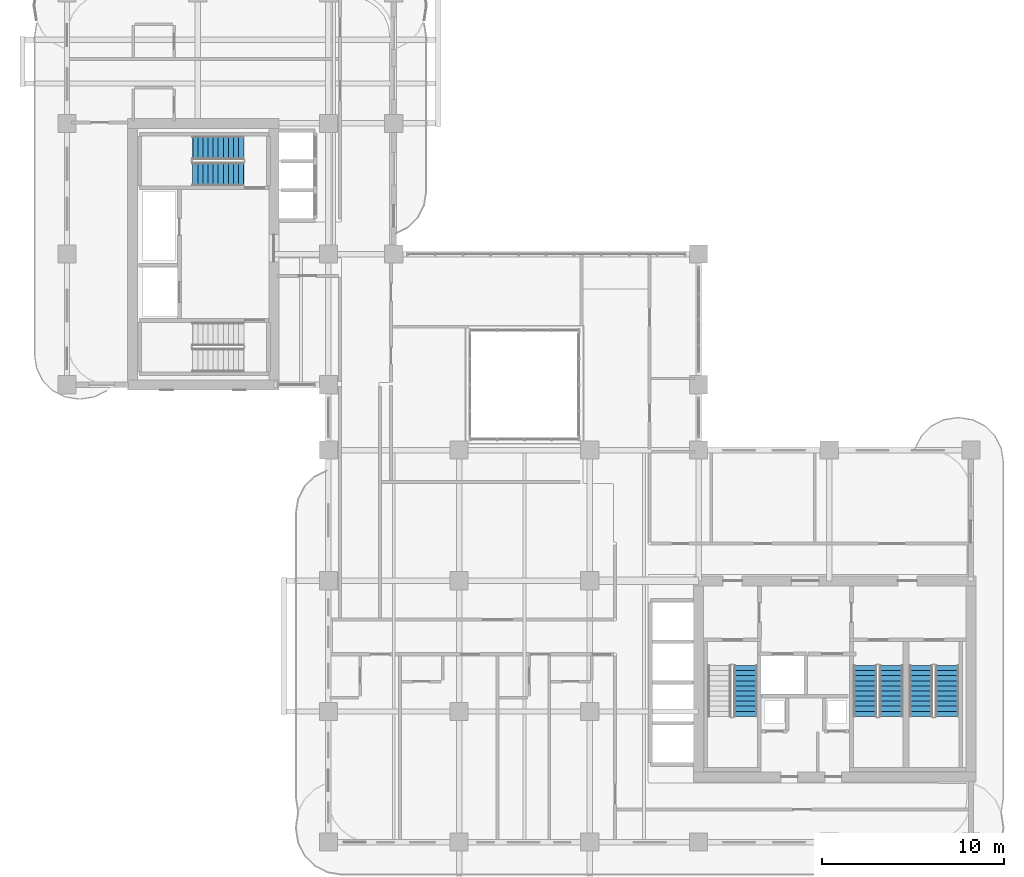
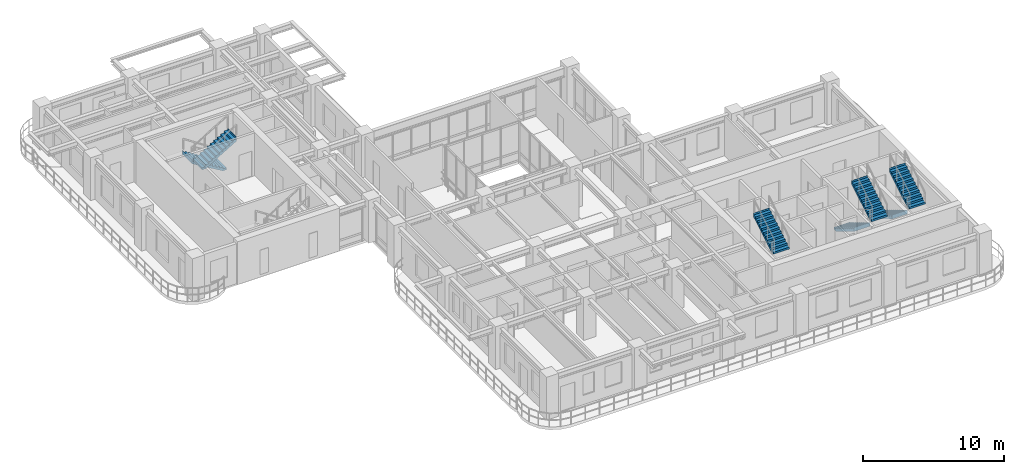
# One storey, part 16 of 20: 7 stair flights, 4 elements without a shape of their own.
"""IFC4 building model written with IfcOpenShell, lengths in metres."""

import ifcopenshell
import ifcopenshell.guid

model = None  # the IFC model being written
_history = None  # IfcOwnerHistory: only IFC2X3 demands one
_inside = {}  # id of a spatial element -> (the spatial element, [elements in it])
_under = {}  # id of a project, library or spatial element -> (it, [spatial elements below it])
_declared = {}  # id of a project -> (the project, [libraries it declares])
_typed = {}  # id of a type object -> (the type object, [elements of that type])
_made_of = {}  # id of a material, layer set ... -> (it, [elements and type objects made of it])


def new_model(schema):
    """Start an empty IFC model of exactly this schema.

    Asked for "IFC4X3", IfcOpenShell would pick the latest addendum, in which some entities
    have other attributes; the version numbers below select the first issue.
    IFC2X3 requires an IfcOwnerHistory on every rooted entity: one is made here for all.
    """
    global model, _history
    if schema == "IFC4X3":
        model = ifcopenshell.file(schema_version=(4, 3, 0, 0))
    else:
        model = ifcopenshell.file(schema=schema)
    _inside.clear()
    _under.clear()
    _declared.clear()
    _typed.clear()
    _made_of.clear()
    _history = None
    if model.schema == "IFC2X3":
        org = make("IfcOrganization", Name="unknown")
        user = make(
            "IfcPersonAndOrganization",
            ThePerson=make("IfcPerson", FamilyName="unknown"),
            TheOrganization=org,
        )
        app = make(
            "IfcApplication",
            ApplicationDeveloper=org,
            Version="unknown",
            ApplicationFullName="unknown",
            ApplicationIdentifier="unknown",
        )
        _history = make(
            "IfcOwnerHistory",
            OwningUser=user,
            OwningApplication=app,
            ChangeAction="ADDED",
            CreationDate=0,
        )
    return model


def make(cls, **values):
    """One entity of the class cls with the attributes given. An attribute that is None is left unset."""
    return model.create_entity(
        cls, **{name: value for name, value in values.items() if value is not None}
    )


def rooted(cls, **values):
    """An entity with a GlobalId (a new one), such as an element, a storey or a relation."""
    return make(cls, GlobalId=ifcopenshell.guid.new(), OwnerHistory=_history, **values)


def si_unit(unit_type, name, prefix=None):
    """IfcSIUnit, for example si_unit("LENGTHUNIT", "METRE", prefix="MILLI")."""
    return make("IfcSIUnit", UnitType=unit_type, Prefix=prefix, Name=name)


def derived_unit(unit_type, elements):
    """IfcDerivedUnit: a product of units, each with its exponent."""
    return make(
        "IfcDerivedUnit",
        Elements=[
            make("IfcDerivedUnitElement", Unit=unit, Exponent=power)
            for unit, power in elements
        ],
        UnitType=unit_type,
    )


def assignment(units):
    """IfcUnitAssignment: the units of a project."""
    return None if units is None else make("IfcUnitAssignment", Units=units)


def point(xyz):
    """IfcCartesianPoint."""
    return None if xyz is None else make("IfcCartesianPoint", Coordinates=xyz)


def direction(xyz):
    """IfcDirection."""
    return None if xyz is None else make("IfcDirection", DirectionRatios=xyz)


def frame(location, z_axis=None, x_axis=None):
    """IfcAxis2Placement3D, a coordinate frame: its origin and axes. An axis left out is left unset."""
    return make(
        "IfcAxis2Placement3D",
        Location=point(location),
        Axis=direction(z_axis),
        RefDirection=direction(x_axis),
    )


def origin():
    """The frame at (0, 0, 0) with its axes left unset."""
    return frame((0.0, 0.0, 0.0))


def place(relative_to, where):
    """IfcLocalPlacement: puts the frame where relative to a parent placement (None: the world)."""
    return make(
        "IfcLocalPlacement", PlacementRelTo=relative_to, RelativePlacement=where
    )


def context(
    kind, dimensions, precision=None, world=None, true_north=None, identifier=None
):
    """IfcGeometricRepresentationContext, for example the 3D "Model" context."""
    return make(
        "IfcGeometricRepresentationContext",
        ContextIdentifier=identifier,
        ContextType=kind,
        CoordinateSpaceDimension=dimensions,
        Precision=precision,
        WorldCoordinateSystem=world,
        TrueNorth=true_north,
    )


def subcontext(parent, identifier, kind, view, scale=None):
    """IfcGeometricRepresentationSubContext, for example "Body" below "Model"."""
    return make(
        "IfcGeometricRepresentationSubContext",
        ContextIdentifier=identifier,
        ContextType=kind,
        ParentContext=parent,
        TargetScale=scale,
        TargetView=view,
    )


def project(units=None, contexts=None):
    """IfcProject with its units and contexts."""
    return rooted(
        "IfcProject",
        Name="project",
        RepresentationContexts=contexts,
        UnitsInContext=assignment(units),
    )


def spatial(cls, under=None, at=None, **own):
    """A site, building, storey or space (cls), placed at a placement, below another one or the project."""
    s = rooted(cls, ObjectPlacement=at, **own)
    if under is not None:
        _under.setdefault(under.id(), (under, []))[1].append(s)
    return s


def polyline(points):
    """IfcPolyline through the points."""
    return make("IfcPolyline", Points=[point(p) for p in points])


def outline(outer, holes=None, kind="AREA"):
    """IfcArbitraryClosedProfileDef: a profile drawn as a closed curve; with holes, ...WithVoids."""
    if holes is None:
        return make("IfcArbitraryClosedProfileDef", ProfileType=kind, OuterCurve=outer)
    return make(
        "IfcArbitraryProfileDefWithVoids",
        ProfileType=kind,
        OuterCurve=outer,
        InnerCurves=holes,
    )


def extrude(swept, where, along, depth):
    """IfcExtrudedAreaSolid: the profile swept, set in the frame where, extruded along a direction by depth."""
    return make(
        "IfcExtrudedAreaSolid",
        SweptArea=swept,
        Position=where,
        ExtrudedDirection=direction(along),
        Depth=depth,
    )


def shape(context_of_items, identifier, shape_type, items):
    """IfcShapeRepresentation: the items that make up one representation, for example the "Body"."""
    return make(
        "IfcShapeRepresentation",
        ContextOfItems=context_of_items,
        RepresentationIdentifier=identifier,
        RepresentationType=shape_type,
        Items=items,
    )


def source(mapping_origin, context_of_items, identifier, shape_type, items):
    """IfcRepresentationMap: a shape defined once, which mapped items show again and again."""
    return make(
        "IfcRepresentationMap",
        MappingOrigin=mapping_origin,
        MappedRepresentation=shape(context_of_items, identifier, shape_type, items),
    )


def transform(
    local_origin,
    x_axis=None,
    y_axis=None,
    z_axis=None,
    scale=None,
    scale2=None,
    scale3=None,
    uniform=True,
):
    """IfcCartesianTransformationOperator3D, or its non-uniform kind. x_axis, y_axis, z_axis: its Axis1, 2, 3."""
    if uniform:
        return make(
            "IfcCartesianTransformationOperator3D",
            Axis1=direction(x_axis),
            Axis2=direction(y_axis),
            LocalOrigin=point(local_origin),
            Scale=scale,
            Axis3=direction(z_axis),
        )
    return make(
        "IfcCartesianTransformationOperator3DnonUniform",
        Axis1=direction(x_axis),
        Axis2=direction(y_axis),
        LocalOrigin=point(local_origin),
        Scale=scale,
        Axis3=direction(z_axis),
        Scale2=scale2,
        Scale3=scale3,
    )


def mapped(mapping_source, mapping_target):
    """IfcMappedItem: shows the shape of a source again, moved by a transform."""
    return make(
        "IfcMappedItem", MappingSource=mapping_source, MappingTarget=mapping_target
    )


def material(Name=None, Category=None):
    """IfcMaterial."""
    return make("IfcMaterial", Name=Name, Category=Category)


def layer(
    of_material, thickness, ventilated=None, Name=None, Category=None, Priority=None
):
    """IfcMaterialLayer: one layer of a wall or slab, of a material (None: an air gap)."""
    return make(
        "IfcMaterialLayer",
        Material=of_material,
        LayerThickness=thickness,
        IsVentilated=ventilated,
        Name=Name,
        Category=Category,
        Priority=Priority,
    )


def layer_set(layers, Name=None):
    """IfcMaterialLayerSet."""
    return make("IfcMaterialLayerSet", MaterialLayers=layers, LayerSetName=Name)


def made_of(thing, what):
    """Note that an element or type object is made of a material, layer set ...; save() writes the relation."""
    if what is not None:
        _made_of.setdefault(what.id(), (what, []))[1].append(thing)
    return thing


def type_object(cls, material=None, **own):
    """A type object (cls), such as IfcWallType, which elements share."""
    return made_of(rooted(cls, **own), material)


def element(
    cls,
    number,
    at=None,
    inside=None,
    cuts=None,
    type_object=None,
    material=None,
    context=None,
    identifier="Body",
    shape_type=None,
    held_by="IfcProductDefinitionShape",
    body=None,
    shapes=None,
    **own,
):
    """One element of the class cls, such as IfcWall. Its Tag is "e" and its number.

    at: its placement. inside: the storey or other place that contains it. cuts: it is an
    opening in that element (IfcRelVoidsElement). A single representation is given by context,
    identifier, shape_type and body (its items); several are given by shapes. held_by: the class
    of the entity that holds the representations. save() writes the other relations.
    """
    e = rooted(cls, Tag="e%d" % number, ObjectPlacement=at, **own)
    if body is not None:
        shapes = [shape(context, identifier, shape_type, body)]
    if shapes is not None:
        e.Representation = make(held_by, Representations=shapes)
    if inside is not None:
        _inside.setdefault(inside.id(), (inside, []))[1].append(e)
    if cuts is not None:
        rooted(
            "IfcRelVoidsElement", RelatingBuildingElement=cuts, RelatedOpeningElement=e
        )
    if type_object is not None:
        _typed.setdefault(type_object.id(), (type_object, []))[1].append(e)
    return made_of(e, material)


def aggregate(whole, parts):
    """IfcRelAggregates: a whole, such as a stair, and the parts it consists of."""
    return rooted("IfcRelAggregates", RelatingObject=whole, RelatedObjects=parts)


def save(model, path):
    """Write the relations noted so far, then the file.

    IfcRelAggregates (storeys below a building ...), IfcRelContainedInSpatialStructure (elements
    in a storey), IfcRelDefinesByType, IfcRelAssociatesMaterial and IfcRelDeclares: one each for
    every whole, place, type object, material and project.
    """
    for whole, parts in _under.values():
        aggregate(whole, parts)
    for where, things in _inside.values():
        rooted(
            "IfcRelContainedInSpatialStructure",
            RelatedElements=things,
            RelatingStructure=where,
        )
    for kind, things in _typed.values():
        rooted("IfcRelDefinesByType", RelatedObjects=things, RelatingType=kind)
    for what, things in _made_of.values():
        rooted("IfcRelAssociatesMaterial", RelatedObjects=things, RelatingMaterial=what)
    for by, libraries in _declared.values():
        rooted("IfcRelDeclares", RelatingContext=by, RelatedDefinitions=libraries)
    model.write(path)


model = new_model("IFC4")

# Units and contexts
model_context = context("Model", 3, precision=1e-05, world=origin(), true_north=direction((0.0, 1.0)))
body_context = subcontext(model_context, "Body", "Model", "MODEL_VIEW")
ifc_project = project(units=[si_unit("LENGTHUNIT", "METRE"), si_unit("AREAUNIT", "SQUARE_METRE"), si_unit("VOLUMEUNIT", "CUBIC_METRE"), si_unit("PLANEANGLEUNIT", "RADIAN"), si_unit("MASSUNIT", "GRAM", prefix="KILO"), si_unit("THERMODYNAMICTEMPERATUREUNIT", "KELVIN"), si_unit("POWERUNIT", "WATT"), derived_unit("THERMALTRANSMITTANCEUNIT", [(si_unit("POWERUNIT", "WATT"), 1), (si_unit("AREAUNIT", "SQUARE_METRE"), -1), (si_unit("THERMODYNAMICTEMPERATUREUNIT", "KELVIN"), -1)])], contexts=[model_context])

# Site, building, storey
site_placement = place(None, origin())
site = spatial("IfcSite", under=ifc_project, at=site_placement, CompositionType="ELEMENT")
building_placement = place(site_placement, origin())
building = spatial("IfcBuilding", under=site, at=building_placement, Name="Zahravan Archway Hotel and Residences", CompositionType="ELEMENT")
storey_placement = place(building_placement, frame((0.0, 0.0, 119.199951171875)))
storey = spatial("IfcBuildingStorey", under=building, at=storey_placement, Name="L29", CompositionType="ELEMENT", Elevation=119.199951171875)

# Stair, stair flight
ifc_material = material(Name="Concrete C50/60", Category="concrete")
stair_type = type_object("IfcStairType", Name="STR-CORE-1300", PredefinedType="HALF_TURN_STAIR", material=ifc_material)
stair_1_placement = place(storey_placement, origin())
stair_1 = element("IfcStair", 1, at=stair_1_placement, inside=storey, type_object=stair_type, Name="L29 Core A Exit Stair 1", PredefinedType="HALF_TURN_STAIR")
ifc_layer = layer(ifc_material, 0.199951171875, Name="Concrete C50/60", Category="concrete")
ifc_layer_set = layer_set([ifc_layer], Name="Concrete C50/60")
stair_flight_type = type_object("IfcStairFlightType", Name="SFL-CORE-1300", PredefinedType="STRAIGHT", material=ifc_layer_set)
shared_shape = source(origin(), body_context, "Body", "SweptSolid", [
    extrude(outline(polyline([(-0.01611328125, 0.0), (-0.01611328125, 0.168212890625), (0.280029296875, 0.168212890625), (0.280029296875, 0.33642578125), (0.56005859375, 0.33642578125), (0.56005859375, 0.504638671875), (0.840087890625, 0.504638671875), (0.840087890625, 0.672607421875), (1.1201171875, 0.672607421875), (1.1201171875, 0.8408203125), (1.39990234375, 0.8408203125), (1.39990234375, 1.009033203125), (1.679931640625, 1.009033203125), (1.679931640625, 1.17724609375), (1.9599609375, 1.17724609375), (1.9599609375, 1.345458984375), (2.239990234375, 1.345458984375), (2.239990234375, 1.513671875), (2.52001953125, 1.513671875), (2.52001953125, 1.681884765625), (2.800048828125, 1.681884765625), (2.800048828125, 1.85009765625), (2.816162109375, 1.85009765625), (2.816162109375, 1.5068359375), (0.291015625, 0.0), (-0.01611328125, 0.0)])), frame((0.0, 0.64990234375, 0.0), z_axis=(0.0, -1.0, 0.0), x_axis=(1.0, 0.0, 0.0)), (0.0, 0.0, 1.0), 1.300048828125),
])
stair_flight_1_placement = place(storey_placement, frame((37.389892578125, 6.929931640625, 1.85009765625), z_axis=(0.0, 0.0, 1.0), x_axis=(0.0, 1.0, 0.0)))
stair_flight_1 = element("IfcStairFlight", 2, at=stair_flight_1_placement, type_object=stair_flight_type, Name="ST-A1 flight 2", NumberOfRisers=11, NumberOfTreads=10, PredefinedType="STRAIGHT", RiserHeight=0.168181818, TreadLength=0.28, context=body_context, shape_type="MappedRepresentation", body=[
    mapped(shared_shape, transform((0.0, 0.0, 0.0), scale=1.0)),
])
aggregate(stair_1, [stair_flight_1])

# Stair, stair flights
stair_2_placement = place(storey_placement, origin())
stair_2 = element("IfcStair", 3, at=stair_2_placement, inside=storey, type_object=stair_type, Name="L29 Core A Exit Stair 2", PredefinedType="HALF_TURN_STAIR")
stair_flight_2_placement = place(storey_placement, frame((43.969970703125, 9.72998046875, 0.0), z_axis=(0.0, 0.0, 1.0), x_axis=(0.0, -1.0, 0.0)))
stair_flight_2 = element("IfcStairFlight", 4, at=stair_flight_2_placement, type_object=stair_flight_type, Name="ST-A2 flight 1", NumberOfRisers=11, NumberOfTreads=10, PredefinedType="STRAIGHT", RiserHeight=0.168181818, TreadLength=0.28, context=body_context, shape_type="MappedRepresentation", body=[
    mapped(shared_shape, transform((0.0, 0.0, 0.0), scale=1.0)),
])
stair_flight_3_placement = place(storey_placement, frame((45.409912109375, 6.929931640625, 1.85009765625), z_axis=(0.0, 0.0, 1.0), x_axis=(0.0, 1.0, 0.0)))
stair_flight_3 = element("IfcStairFlight", 5, at=stair_flight_3_placement, type_object=stair_flight_type, Name="ST-A2 flight 2", NumberOfRisers=11, NumberOfTreads=10, PredefinedType="STRAIGHT", RiserHeight=0.168181818, TreadLength=0.28, context=body_context, shape_type="MappedRepresentation", body=[
    mapped(shared_shape, transform((0.0, 0.0, 0.0), scale=1.0)),
])
aggregate(stair_2, [stair_flight_2, stair_flight_3])

stair_3_placement = place(storey_placement, origin())
stair_3 = element("IfcStair", 6, at=stair_3_placement, inside=storey, type_object=stair_type, Name="L29 Core A Exit Stair 3", PredefinedType="HALF_TURN_STAIR")
stair_flight_4_placement = place(storey_placement, frame((47.050048828125, 9.72998046875, 0.0), z_axis=(0.0, 0.0, 1.0), x_axis=(0.0, -1.0, 0.0)))
stair_flight_4 = element("IfcStairFlight", 7, at=stair_flight_4_placement, type_object=stair_flight_type, Name="ST-A3 flight 1", NumberOfRisers=11, NumberOfTreads=10, PredefinedType="STRAIGHT", RiserHeight=0.168181818, TreadLength=0.28, context=body_context, shape_type="MappedRepresentation", body=[
    mapped(shared_shape, transform((0.0, 0.0, 0.0), scale=1.0)),
])
stair_flight_5_placement = place(storey_placement, frame((48.489990234375, 6.929931640625, 1.85009765625), z_axis=(0.0, 0.0, 1.0), x_axis=(0.0, 1.0, 0.0)))
stair_flight_5 = element("IfcStairFlight", 8, at=stair_flight_5_placement, type_object=stair_flight_type, Name="ST-A3 flight 2", NumberOfRisers=11, NumberOfTreads=10, PredefinedType="STRAIGHT", RiserHeight=0.168181818, TreadLength=0.28, context=body_context, shape_type="MappedRepresentation", body=[
    mapped(shared_shape, transform((0.0, 0.0, 0.0), scale=1.0)),
])
aggregate(stair_3, [stair_flight_4, stair_flight_5])

stair_4_placement = place(storey_placement, origin())
stair_4 = element("IfcStair", 9, at=stair_4_placement, inside=storey, type_object=stair_type, Name="L29 Core B Exit Stair 2", PredefinedType="HALF_TURN_STAIR")
stair_flight_6_placement = place(storey_placement, frame((9.72998046875, 38.25, 0.0), z_axis=(0.0, 0.0, 1.0), x_axis=(-1.0, 0.0, 0.0)))
stair_flight_6 = element("IfcStairFlight", 10, at=stair_flight_6_placement, type_object=stair_flight_type, Name="ST-B2 flight 1", NumberOfRisers=11, NumberOfTreads=10, PredefinedType="STRAIGHT", RiserHeight=0.168181818, TreadLength=0.28, context=body_context, shape_type="MappedRepresentation", body=[
    mapped(shared_shape, transform((0.0, 0.0, 0.0), scale=1.0)),
])
stair_flight_7_placement = place(storey_placement, frame((6.929931640625, 36.81005859375, 1.85009765625), z_axis=(0.0, 0.0, 1.0), x_axis=(1.0, 0.0, 0.0)))
stair_flight_7 = element("IfcStairFlight", 11, at=stair_flight_7_placement, type_object=stair_flight_type, Name="ST-B2 flight 2", NumberOfRisers=11, NumberOfTreads=10, PredefinedType="STRAIGHT", RiserHeight=0.168181818, TreadLength=0.28, context=body_context, shape_type="MappedRepresentation", body=[
    mapped(shared_shape, transform((0.0, 0.0, 0.0), scale=1.0)),
])
aggregate(stair_4, [stair_flight_6, stair_flight_7])

save(model, "model.ifc")
